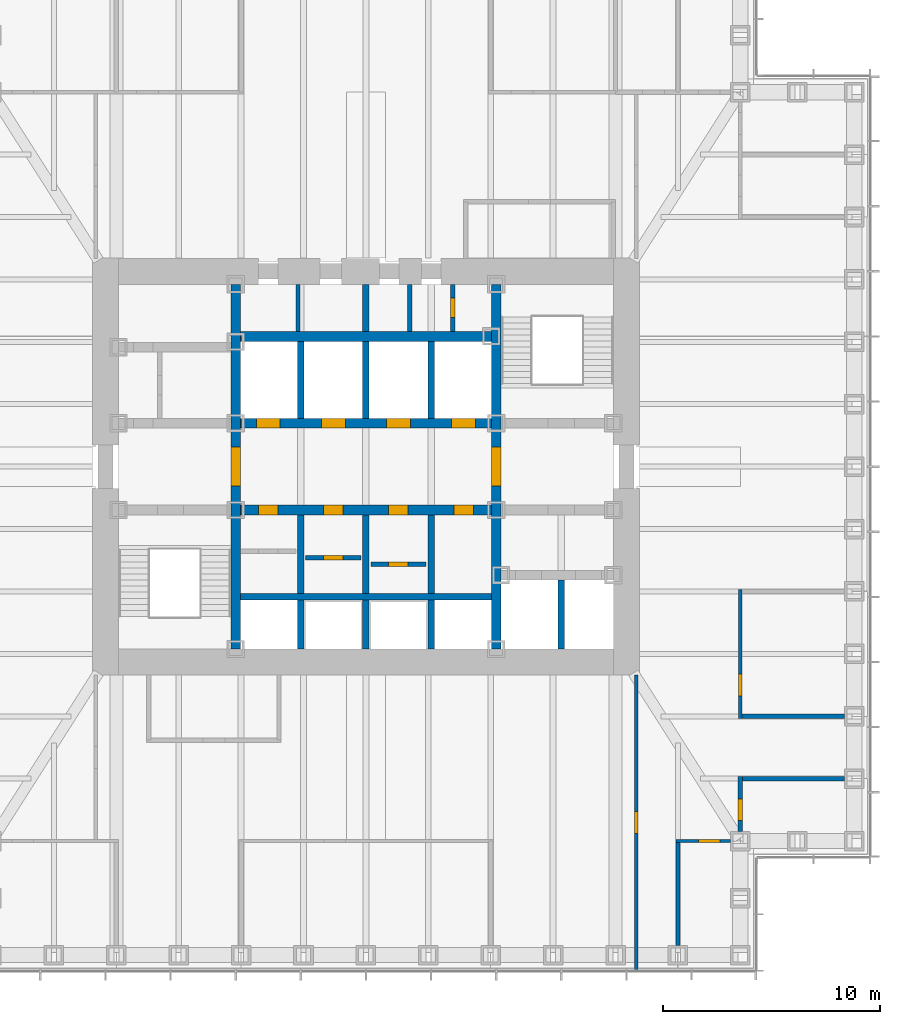
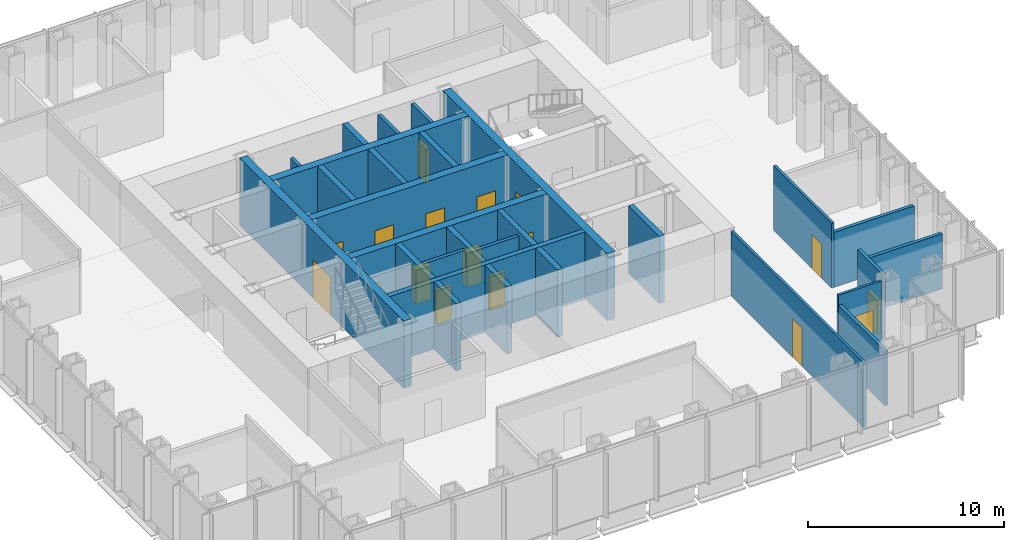
# One storey, part 9 of 17: 29 walls, 17 doors, 17 openings.
"""IFC4 building model written with IfcOpenShell, lengths in metres."""

from ifc_helpers import new_model, si_unit, direction, frame, frame_2d, origin, place, context, subcontext, project, spatial, rectangle, extrude, material, layer, layer_set, type_object, element, fill, save


model = new_model("IFC4")

# Units and contexts
model_context = context("Model", 3, precision=1e-05, world=origin(), true_north=direction((0.0, 1.0)))
body_context = subcontext(model_context, "Body", "Model", "MODEL_VIEW")
ifc_project = project(units=[si_unit("LENGTHUNIT", "METRE"), si_unit("AREAUNIT", "SQUARE_METRE"), si_unit("VOLUMEUNIT", "CUBIC_METRE"), si_unit("PLANEANGLEUNIT", "RADIAN"), si_unit("MASSUNIT", "GRAM", prefix="KILO")], contexts=[model_context])

# Site, building, storey
site_placement = place(None, origin())
site = spatial("IfcSite", under=ifc_project, at=site_placement, CompositionType="ELEMENT")
building_placement = place(site_placement, origin())
building = spatial("IfcBuilding", under=site, at=building_placement, Name="Daluyong Arena Tower", CompositionType="ELEMENT")
storey_placement = place(building_placement, frame((0.0, 0.0, 150.10009765625)))
storey = spatial("IfcBuildingStorey", under=building, at=storey_placement, Name="L33", CompositionType="ELEMENT", Elevation=150.10009765625)

# Wall, opening, door
ifc_material_1 = material(Name="Concrete fc' 45 MPa", Category="concrete")
ifc_layer_1 = layer(ifc_material_1, 0.449951171875)
ifc_layer_set_1 = layer_set([ifc_layer_1], Name="Concrete fc' 45 MPa")
wall_type_1 = type_object("IfcWallType", Name="Core inner wall 450", PredefinedType="SHEAR", material=ifc_layer_set_1)
wall_1_placement = place(storey_placement, frame((50.0, 71.60009765625, 0.0), z_axis=(0.0, 0.0, 1.0), x_axis=(0.0, 1.0, 0.0)))
wall_1 = element("IfcWall", 1, at=wall_1_placement, inside=storey, type_object=wall_type_1, Name="core inner wall at L33", PredefinedType="SHEAR", context=body_context, shape_type="SweptSolid", body=[
    extrude(rectangle(XDim=16.7998046875, YDim=0.449951171875, at=frame_2d((8.39990234375, 0.0))), origin(), (0.0, 0.0, 1.0), 4.199951171875),
])
opening_1_placement = place(wall_1_placement, frame((7.5, 0.0, 0.0)))
opening_1 = element("IfcOpeningElement", 2, at=opening_1_placement, cuts=wall_1, Name="Opening 33020", PredefinedType="OPENING", context=body_context, shape_type="SweptSolid", body=[
    extrude(rectangle(XDim=1.800048828125, YDim=2.39990234375, at=frame_2d((0.89990234375, 1.199951171875))), frame((0.0, 0.23486328125, 0.0), z_axis=(0.0, -1.0, 0.0), x_axis=(1.0, 0.0, 0.0)), (0.0, 0.0, 1.0), 0.469970703125),
])
ifc_material_2 = material(Name="Steel door, fire rated", Category="steel")
door_type_1 = type_object("IfcDoorType", Name="Lift lobby opening door 1800", OperationType="DOUBLE_DOOR_SINGLE_SWING", PredefinedType="DOOR", material=ifc_material_2)
door_1_placement = place(opening_1_placement, origin())
door_1 = element("IfcDoor", 3, at=door_1_placement, inside=storey, type_object=door_type_1, Name="lift lobby door west 33020", OperationType="DOUBLE_DOOR_SINGLE_SWING", OverallHeight=2.39990234375, OverallWidth=1.800048828125, PredefinedType="DOOR", context=body_context, shape_type="SweptSolid", body=[
    extrude(rectangle(XDim=1.800048828125, YDim=2.39990234375, at=frame_2d((0.89990234375, 1.199951171875))), frame((0.0, 0.224609375, 0.0), z_axis=(0.0, -1.0, 0.0), x_axis=(1.0, 0.0, 0.0)), (0.0, 0.0, 1.0), 0.449462890625),
])
fill(opening_1, door_1)

wall_2_placement = place(storey_placement, frame((62.0, 71.60009765625, 0.0), z_axis=(0.0, 0.0, 1.0), x_axis=(0.0, 1.0, 0.0)))
wall_2 = element("IfcWall", 4, at=wall_2_placement, inside=storey, type_object=wall_type_1, Name="core inner wall at L33", PredefinedType="SHEAR", context=body_context, shape_type="SweptSolid", body=[
    extrude(rectangle(XDim=16.7998046875, YDim=0.449951171875, at=frame_2d((8.39990234375, 0.0))), origin(), (0.0, 0.0, 1.0), 4.199951171875),
])
opening_2_placement = place(wall_2_placement, frame((7.5, 0.0, 0.0)))
opening_2 = element("IfcOpeningElement", 5, at=opening_2_placement, cuts=wall_2, Name="Opening 33021", PredefinedType="OPENING", context=body_context, shape_type="SweptSolid", body=[
    extrude(rectangle(XDim=1.800048828125, YDim=2.39990234375, at=frame_2d((0.89990234375, 1.199951171875))), frame((0.0, 0.23486328125, 0.0), z_axis=(0.0, -1.0, 0.0), x_axis=(1.0, 0.0, 0.0)), (0.0, 0.0, 1.0), 0.469970703125),
])
door_2_placement = place(opening_2_placement, origin())
door_2 = element("IfcDoor", 6, at=door_2_placement, inside=storey, type_object=door_type_1, Name="lift lobby door east 33021", OperationType="DOUBLE_DOOR_SINGLE_SWING", OverallHeight=2.39990234375, OverallWidth=1.800048828125, PredefinedType="DOOR", context=body_context, shape_type="SweptSolid", body=[
    extrude(rectangle(XDim=1.800048828125, YDim=2.39990234375, at=frame_2d((0.89990234375, 1.199951171875))), frame((0.0, 0.224609375, 0.0), z_axis=(0.0, -1.0, 0.0), x_axis=(1.0, 0.0, 0.0)), (0.0, 0.0, 1.0), 0.449462890625),
])
fill(opening_2, door_2)

# Wall, openings, doors
wall_3_placement = place(storey_placement, frame((50.22509765625, 78.0, 0.0), z_axis=(0.0, 0.0, 1.0), x_axis=(1.0, 0.0, 0.0)))
wall_3 = element("IfcWall", 7, at=wall_3_placement, inside=storey, type_object=wall_type_1, Name="core inner wall at L33", PredefinedType="SHEAR", context=body_context, shape_type="SweptSolid", body=[
    extrude(rectangle(XDim=11.5498046875, YDim=0.449951171875, at=frame_2d((5.77490234375, 0.0))), origin(), (0.0, 0.0, 1.0), 4.199951171875),
])
opening_3_placement = place(wall_3_placement, frame((0.824951171875, 0.0, 0.0)))
opening_3 = element("IfcOpeningElement", 8, at=opening_3_placement, cuts=wall_3, Name="Opening 33009", PredefinedType="OPENING", context=body_context, shape_type="SweptSolid", body=[
    extrude(rectangle(XDim=0.89990234375, YDim=2.10009765625, at=frame_2d((0.449951171875, 1.050048828125))), frame((0.0, 0.23486328125, 0.0), z_axis=(0.0, -1.0, 0.0), x_axis=(1.0, 0.0, 0.0)), (0.0, 0.0, 1.0), 0.469970703125),
])
opening_4_placement = place(wall_3_placement, frame((3.824951171875, 0.0, 0.0)))
opening_4 = element("IfcOpeningElement", 9, at=opening_4_placement, cuts=wall_3, Name="Opening 33011", PredefinedType="OPENING", context=body_context, shape_type="SweptSolid", body=[
    extrude(rectangle(XDim=0.89990234375, YDim=2.10009765625, at=frame_2d((0.449951171875, 1.050048828125))), frame((0.0, 0.23486328125, 0.0), z_axis=(0.0, -1.0, 0.0), x_axis=(1.0, 0.0, 0.0)), (0.0, 0.0, 1.0), 0.469970703125),
])
opening_5_placement = place(wall_3_placement, frame((6.824951171875, 0.0, 0.0)))
opening_5 = element("IfcOpeningElement", 10, at=opening_5_placement, cuts=wall_3, Name="Opening 33013", PredefinedType="OPENING", context=body_context, shape_type="SweptSolid", body=[
    extrude(rectangle(XDim=0.89990234375, YDim=2.10009765625, at=frame_2d((0.449951171875, 1.050048828125))), frame((0.0, 0.23486328125, 0.0), z_axis=(0.0, -1.0, 0.0), x_axis=(1.0, 0.0, 0.0)), (0.0, 0.0, 1.0), 0.469970703125),
])
opening_6_placement = place(wall_3_placement, frame((9.824951171875, 0.0, 0.0)))
opening_6 = element("IfcOpeningElement", 11, at=opening_6_placement, cuts=wall_3, Name="Opening 33015", PredefinedType="OPENING", context=body_context, shape_type="SweptSolid", body=[
    extrude(rectangle(XDim=0.89990234375, YDim=2.10009765625, at=frame_2d((0.449951171875, 1.050048828125))), frame((0.0, 0.23486328125, 0.0), z_axis=(0.0, -1.0, 0.0), x_axis=(1.0, 0.0, 0.0)), (0.0, 0.0, 1.0), 0.469970703125),
])
ifc_material_3 = material(Name="Steel door, fire rated", Category="steel")
door_type_2 = type_object("IfcDoorType", Name="Core room door 900", OperationType="SINGLE_SWING_LEFT", PredefinedType="DOOR", material=ifc_material_3)
door_3_placement = place(opening_6_placement, origin())
door_3 = element("IfcDoor", 12, at=door_3_placement, inside=storey, type_object=door_type_2, Name="staff pantry door 33015", OperationType="SINGLE_SWING_LEFT", OverallHeight=2.10009765625, OverallWidth=0.89990234375, PredefinedType="DOOR", context=body_context, shape_type="SweptSolid", body=[
    extrude(rectangle(XDim=0.89990234375, YDim=2.10009765625, at=frame_2d((0.449951171875, 1.050048828125))), frame((0.0, 0.224609375, 0.0), z_axis=(0.0, -1.0, 0.0), x_axis=(1.0, 0.0, 0.0)), (0.0, 0.0, 1.0), 0.449462890625),
])
fill(opening_6, door_3)
ifc_material_4 = material(Name="Steel door, fire rated", Category="steel")
door_type_3 = type_object("IfcDoorType", Name="Core store door 900", OperationType="SINGLE_SWING_LEFT", PredefinedType="DOOR", material=ifc_material_4)
door_4_placement = place(opening_3_placement, origin())
door_4 = element("IfcDoor", 13, at=door_4_placement, inside=storey, type_object=door_type_3, Name="tenant store door 33009", OperationType="SINGLE_SWING_LEFT", OverallHeight=2.10009765625, OverallWidth=0.89990234375, PredefinedType="DOOR", context=body_context, shape_type="SweptSolid", body=[
    extrude(rectangle(XDim=0.89990234375, YDim=2.10009765625, at=frame_2d((0.449951171875, 1.050048828125))), frame((0.0, 0.224609375, 0.0), z_axis=(0.0, -1.0, 0.0), x_axis=(1.0, 0.0, 0.0)), (0.0, 0.0, 1.0), 0.449462890625),
])
fill(opening_3, door_4)
door_5_placement = place(opening_4_placement, origin())
door_5 = element("IfcDoor", 14, at=door_5_placement, inside=storey, type_object=door_type_3, Name="furniture store door 33011", OperationType="SINGLE_SWING_LEFT", OverallHeight=2.10009765625, OverallWidth=0.89990234375, PredefinedType="DOOR", context=body_context, shape_type="SweptSolid", body=[
    extrude(rectangle(XDim=0.89990234375, YDim=2.10009765625, at=frame_2d((0.449951171875, 1.050048828125))), frame((0.0, 0.224609375, 0.0), z_axis=(0.0, -1.0, 0.0), x_axis=(1.0, 0.0, 0.0)), (0.0, 0.0, 1.0), 0.449462890625),
])
fill(opening_4, door_5)
door_6_placement = place(opening_5_placement, origin())
door_6 = element("IfcDoor", 15, at=door_6_placement, inside=storey, type_object=door_type_3, Name="security store door 33013", OperationType="SINGLE_SWING_LEFT", OverallHeight=2.10009765625, OverallWidth=0.89990234375, PredefinedType="DOOR", context=body_context, shape_type="SweptSolid", body=[
    extrude(rectangle(XDim=0.89990234375, YDim=2.10009765625, at=frame_2d((0.449951171875, 1.050048828125))), frame((0.0, 0.224609375, 0.0), z_axis=(0.0, -1.0, 0.0), x_axis=(1.0, 0.0, 0.0)), (0.0, 0.0, 1.0), 0.449462890625),
])
fill(opening_5, door_6)

wall_4_placement = place(storey_placement, frame((50.22509765625, 82.0, 0.0), z_axis=(0.0, 0.0, 1.0), x_axis=(1.0, 0.0, 0.0)))
wall_4 = element("IfcWall", 16, at=wall_4_placement, inside=storey, type_object=wall_type_1, Name="core inner wall at L33", PredefinedType="SHEAR", context=body_context, shape_type="SweptSolid", body=[
    extrude(rectangle(XDim=11.5498046875, YDim=0.449951171875, at=frame_2d((5.77490234375, 0.0))), origin(), (0.0, 0.0, 1.0), 4.199951171875),
])
opening_7_placement = place(wall_4_placement, frame((0.72509765625, 0.0, 0.0)))
opening_7 = element("IfcOpeningElement", 17, at=opening_7_placement, cuts=wall_4, Name="Opening 33023", PredefinedType="OPENING", context=body_context, shape_type="SweptSolid", body=[
    extrude(rectangle(XDim=1.10009765625, YDim=2.199951171875, at=frame_2d((0.550048828125, 1.10009765625))), frame((0.0, 0.23486328125, 0.0), z_axis=(0.0, -1.0, 0.0), x_axis=(1.0, 0.0, 0.0)), (0.0, 0.0, 1.0), 0.469970703125),
])
opening_8_placement = place(wall_4_placement, frame((3.72509765625, 0.0, 0.0)))
opening_8 = element("IfcOpeningElement", 18, at=opening_8_placement, cuts=wall_4, Name="Opening 33024", PredefinedType="OPENING", context=body_context, shape_type="SweptSolid", body=[
    extrude(rectangle(XDim=1.10009765625, YDim=2.199951171875, at=frame_2d((0.550048828125, 1.10009765625))), frame((0.0, 0.23486328125, 0.0), z_axis=(0.0, -1.0, 0.0), x_axis=(1.0, 0.0, 0.0)), (0.0, 0.0, 1.0), 0.469970703125),
])
opening_9_placement = place(wall_4_placement, frame((6.72509765625, 0.0, 0.0)))
opening_9 = element("IfcOpeningElement", 19, at=opening_9_placement, cuts=wall_4, Name="Opening 33025", PredefinedType="OPENING", context=body_context, shape_type="SweptSolid", body=[
    extrude(rectangle(XDim=1.10009765625, YDim=2.199951171875, at=frame_2d((0.550048828125, 1.10009765625))), frame((0.0, 0.23486328125, 0.0), z_axis=(0.0, -1.0, 0.0), x_axis=(1.0, 0.0, 0.0)), (0.0, 0.0, 1.0), 0.469970703125),
])
opening_10_placement = place(wall_4_placement, frame((9.72509765625, 0.0, 0.0)))
opening_10 = element("IfcOpeningElement", 20, at=opening_10_placement, cuts=wall_4, Name="Opening 33026", PredefinedType="OPENING", context=body_context, shape_type="SweptSolid", body=[
    extrude(rectangle(XDim=1.10009765625, YDim=2.199951171875, at=frame_2d((0.550048828125, 1.10009765625))), frame((0.0, 0.23486328125, 0.0), z_axis=(0.0, -1.0, 0.0), x_axis=(1.0, 0.0, 0.0)), (0.0, 0.0, 1.0), 0.469970703125),
])
ifc_material_5 = material(Name="Steel door, fire rated", Category="steel")
door_type_4 = type_object("IfcDoorType", Name="Lift landing door 1100", OperationType="SLIDING_TO_LEFT", PredefinedType="DOOR", material=ifc_material_5)
door_7_placement = place(opening_7_placement, origin())
door_7 = element("IfcDoor", 21, at=door_7_placement, inside=storey, type_object=door_type_4, Name="lift landing door B1 33023", OperationType="SLIDING_TO_LEFT", OverallHeight=2.199951171875, OverallWidth=1.10009765625, PredefinedType="DOOR", context=body_context, shape_type="SweptSolid", body=[
    extrude(rectangle(XDim=1.10009765625, YDim=2.199951171875, at=frame_2d((0.550048828125, 1.10009765625))), frame((0.0, 0.224609375, 0.0), z_axis=(0.0, -1.0, 0.0), x_axis=(1.0, 0.0, 0.0)), (0.0, 0.0, 1.0), 0.449462890625),
])
fill(opening_7, door_7)
door_8_placement = place(opening_8_placement, origin())
door_8 = element("IfcDoor", 22, at=door_8_placement, inside=storey, type_object=door_type_4, Name="lift landing door B2 33024", OperationType="SLIDING_TO_LEFT", OverallHeight=2.199951171875, OverallWidth=1.10009765625, PredefinedType="DOOR", context=body_context, shape_type="SweptSolid", body=[
    extrude(rectangle(XDim=1.10009765625, YDim=2.199951171875, at=frame_2d((0.550048828125, 1.10009765625))), frame((0.0, 0.224609375, 0.0), z_axis=(0.0, -1.0, 0.0), x_axis=(1.0, 0.0, 0.0)), (0.0, 0.0, 1.0), 0.449462890625),
])
fill(opening_8, door_8)
door_9_placement = place(opening_9_placement, origin())
door_9 = element("IfcDoor", 23, at=door_9_placement, inside=storey, type_object=door_type_4, Name="lift landing door B3 33025", OperationType="SLIDING_TO_LEFT", OverallHeight=2.199951171875, OverallWidth=1.10009765625, PredefinedType="DOOR", context=body_context, shape_type="SweptSolid", body=[
    extrude(rectangle(XDim=1.10009765625, YDim=2.199951171875, at=frame_2d((0.550048828125, 1.10009765625))), frame((0.0, 0.224609375, 0.0), z_axis=(0.0, -1.0, 0.0), x_axis=(1.0, 0.0, 0.0)), (0.0, 0.0, 1.0), 0.449462890625),
])
fill(opening_9, door_9)
door_10_placement = place(opening_10_placement, origin())
door_10 = element("IfcDoor", 24, at=door_10_placement, inside=storey, type_object=door_type_4, Name="lift landing door B4 33026", OperationType="SLIDING_TO_LEFT", OverallHeight=2.199951171875, OverallWidth=1.10009765625, PredefinedType="DOOR", context=body_context, shape_type="SweptSolid", body=[
    extrude(rectangle(XDim=1.10009765625, YDim=2.199951171875, at=frame_2d((0.550048828125, 1.10009765625))), frame((0.0, 0.224609375, 0.0), z_axis=(0.0, -1.0, 0.0), x_axis=(1.0, 0.0, 0.0)), (0.0, 0.0, 1.0), 0.449462890625),
])
fill(opening_10, door_10)

# Walls
wall_5_placement = place(storey_placement, frame((50.22509765625, 86.0, 0.0), z_axis=(0.0, 0.0, 1.0), x_axis=(1.0, 0.0, 0.0)))
element("IfcWall", 25, at=wall_5_placement, inside=storey, type_object=wall_type_1, Name="core inner wall at L33", PredefinedType="SHEAR", context=body_context, shape_type="SweptSolid", body=[
    extrude(rectangle(XDim=11.5498046875, YDim=0.449951171875, at=frame_2d((5.77490234375, 0.0))), origin(), (0.0, 0.0, 1.0), 4.199951171875),
])
ifc_material_6 = material(Name="Concrete block partition, fire rated", Category="concrete")
ifc_layer_2 = layer(ifc_material_6, 0.199951171875)
ifc_layer_set_2 = layer_set([ifc_layer_2], Name="Concrete block partition, fire rated")
wall_type_2 = type_object("IfcWallType", Name="Fire-rated partition 200", PredefinedType="PARTITIONING", material=ifc_layer_set_2)
wall_6_placement = place(storey_placement, frame((52.875, 86.22509765625, 0.0), z_axis=(0.0, 0.0, 1.0), x_axis=(0.0, 1.0, 0.0)))
element("IfcWall", 26, at=wall_6_placement, inside=storey, type_object=wall_type_2, Name="core room partition at L33", PredefinedType="PARTITIONING", context=body_context, shape_type="SweptSolid", body=[
    extrude(rectangle(XDim=2.1748046875, YDim=0.199951171875, at=frame_2d((1.08740234375, 0.0))), origin(), (0.0, 0.0, 1.0), 3.139892578125),
])

# Wall, opening, door
wall_7_placement = place(storey_placement, frame((60.0, 86.22509765625, 0.0), z_axis=(0.0, 0.0, 1.0), x_axis=(0.0, 1.0, 0.0)))
wall_7 = element("IfcWall", 27, at=wall_7_placement, inside=storey, type_object=wall_type_2, Name="electrical riser enclosure at L33", PredefinedType="PARTITIONING", context=body_context, shape_type="SweptSolid", body=[
    extrude(rectangle(XDim=2.1748046875, YDim=0.199951171875, at=frame_2d((1.08740234375, 0.0))), origin(), (0.0, 0.0, 1.0), 4.039794921875),
])
opening_11_placement = place(wall_7_placement, frame((0.637451171875, 0.0, 0.0)))
opening_11 = element("IfcOpeningElement", 28, at=opening_11_placement, cuts=wall_7, Name="Opening 33008", PredefinedType="OPENING", context=body_context, shape_type="SweptSolid", body=[
    extrude(rectangle(XDim=0.89990234375, YDim=2.10009765625, at=frame_2d((0.449951171875, 1.050048828125))), frame((0.0, 0.10986328125, 0.0), z_axis=(0.0, -1.0, 0.0), x_axis=(1.0, 0.0, 0.0)), (0.0, 0.0, 1.0), 0.219970703125),
])
ifc_material_7 = material(Name="Steel door, fire rated", Category="steel")
door_type_5 = type_object("IfcDoorType", Name="Riser door 900", OperationType="SINGLE_SWING_LEFT", PredefinedType="DOOR", material=ifc_material_7)
door_11_placement = place(opening_11_placement, origin())
door_11 = element("IfcDoor", 29, at=door_11_placement, inside=storey, type_object=door_type_5, Name="riser door 33008", OperationType="SINGLE_SWING_LEFT", OverallHeight=2.10009765625, OverallWidth=0.89990234375, PredefinedType="DOOR", context=body_context, shape_type="SweptSolid", body=[
    extrude(rectangle(XDim=0.89990234375, YDim=2.10009765625, at=frame_2d((0.449951171875, 1.050048828125))), frame((0.0, 0.099609375, 0.0), z_axis=(0.0, -1.0, 0.0), x_axis=(1.0, 0.0, 0.0)), (0.0, 0.0, 1.0), 0.199462890625),
])
fill(opening_11, door_11)

# Wall
wall_8_placement = place(storey_placement, frame((58.02490234375, 86.22509765625, 0.0), z_axis=(0.0, 0.0, 1.0), x_axis=(0.0, 1.0, 0.0)))
element("IfcWall", 30, at=wall_8_placement, inside=storey, type_object=wall_type_2, Name="core room partition at L33", PredefinedType="PARTITIONING", context=body_context, shape_type="SweptSolid", body=[
    extrude(rectangle(XDim=2.1748046875, YDim=0.199951171875, at=frame_2d((1.08740234375, 0.0))), origin(), (0.0, 0.0, 1.0), 4.039794921875),
])

# Wall, opening, door
wall_9_placement = place(storey_placement, frame((53.22509765625, 75.800048828125, 0.0), z_axis=(0.0, 0.0, 1.0), x_axis=(1.0, 0.0, 0.0)))
wall_9 = element("IfcWall", 31, at=wall_9_placement, inside=storey, type_object=wall_type_2, Name="back store partition at L33", PredefinedType="PARTITIONING", context=body_context, shape_type="SweptSolid", body=[
    extrude(rectangle(XDim=2.5498046875, YDim=0.199951171875, at=frame_2d((1.27490234375, 0.0))), origin(), (0.0, 0.0, 1.0), 4.039794921875),
])
opening_12_placement = place(wall_9_placement, frame((0.824951171875, 0.0, 0.0)))
opening_12 = element("IfcOpeningElement", 32, at=opening_12_placement, cuts=wall_9, Name="Opening 33012", PredefinedType="OPENING", context=body_context, shape_type="SweptSolid", body=[
    extrude(rectangle(XDim=0.89990234375, YDim=2.10009765625, at=frame_2d((0.449951171875, 1.050048828125))), frame((0.0, 0.10986328125, 0.0), z_axis=(0.0, -1.0, 0.0), x_axis=(1.0, 0.0, 0.0)), (0.0, 0.0, 1.0), 0.219970703125),
])
door_12_placement = place(opening_12_placement, origin())
door_12 = element("IfcDoor", 33, at=door_12_placement, inside=storey, type_object=door_type_3, Name="stationery store door 33012", OperationType="SINGLE_SWING_LEFT", OverallHeight=2.10009765625, OverallWidth=0.89990234375, PredefinedType="DOOR", context=body_context, shape_type="SweptSolid", body=[
    extrude(rectangle(XDim=0.89990234375, YDim=2.10009765625, at=frame_2d((0.449951171875, 1.050048828125))), frame((0.0, 0.099609375, 0.0), z_axis=(0.0, -1.0, 0.0), x_axis=(1.0, 0.0, 0.0)), (0.0, 0.0, 1.0), 0.199462890625),
])
fill(opening_12, door_12)

wall_10_placement = place(storey_placement, frame((56.22509765625, 75.5, 0.0), z_axis=(0.0, 0.0, 1.0), x_axis=(1.0, 0.0, 0.0)))
wall_10 = element("IfcWall", 34, at=wall_10_placement, inside=storey, type_object=wall_type_2, Name="back store partition at L33", PredefinedType="PARTITIONING", context=body_context, shape_type="SweptSolid", body=[
    extrude(rectangle(XDim=2.5498046875, YDim=0.199951171875, at=frame_2d((1.27490234375, 0.0))), origin(), (0.0, 0.0, 1.0), 4.039794921875),
])
opening_13_placement = place(wall_10_placement, frame((0.824951171875, 0.0, 0.0)))
opening_13 = element("IfcOpeningElement", 35, at=opening_13_placement, cuts=wall_10, Name="Opening 33014", PredefinedType="OPENING", context=body_context, shape_type="SweptSolid", body=[
    extrude(rectangle(XDim=0.89990234375, YDim=2.10009765625, at=frame_2d((0.449951171875, 1.050048828125))), frame((0.0, 0.10986328125, 0.0), z_axis=(0.0, -1.0, 0.0), x_axis=(1.0, 0.0, 0.0)), (0.0, 0.0, 1.0), 0.219970703125),
])
door_13_placement = place(opening_13_placement, origin())
door_13 = element("IfcDoor", 36, at=door_13_placement, inside=storey, type_object=door_type_3, Name="archive store door 33014", OperationType="SINGLE_SWING_LEFT", OverallHeight=2.10009765625, OverallWidth=0.89990234375, PredefinedType="DOOR", context=body_context, shape_type="SweptSolid", body=[
    extrude(rectangle(XDim=0.89990234375, YDim=2.10009765625, at=frame_2d((0.449951171875, 1.050048828125))), frame((0.0, 0.099609375, 0.0), z_axis=(0.0, -1.0, 0.0), x_axis=(1.0, 0.0, 0.0)), (0.0, 0.0, 1.0), 0.199462890625),
])
fill(opening_13, door_13)

ifc_material_8 = material(Name="Glazed aluminium partition", Category="aluminium")
ifc_layer_3 = layer(ifc_material_8, 0.14990234375)
ifc_layer_set_3 = layer_set([ifc_layer_3], Name="Glazed aluminium partition")
wall_type_3 = type_object("IfcWallType", Name="Glazed partition 150", PredefinedType="PARTITIONING", material=ifc_layer_set_3)
wall_11_placement = place(storey_placement, frame((70.27490234375, 62.75, 0.0), z_axis=(0.0, 0.0, 1.0), x_axis=(1.0, 0.0, 0.0)))
wall_11 = element("IfcWall", 37, at=wall_11_placement, inside=storey, type_object=wall_type_3, Name="glazed partition at L33", PredefinedType="PARTITIONING", context=body_context, shape_type="SweptSolid", body=[
    extrude(rectangle(XDim=2.525146484375, YDim=0.14990234375, at=frame_2d((1.2626953125, 0.0))), origin(), (0.0, 0.0, 1.0), 4.039794921875),
])
opening_14_placement = place(wall_11_placement, frame((1.03759765625, 0.0, 0.0)))
opening_14 = element("IfcOpeningElement", 38, at=opening_14_placement, cuts=wall_11, Name="Opening 33031", PredefinedType="OPENING", context=body_context, shape_type="SweptSolid", body=[
    extrude(rectangle(XDim=1.0, YDim=2.39990234375, at=frame_2d((0.5, 1.199951171875))), frame((0.0, 0.0849609375, 0.0), z_axis=(0.0, -1.0, 0.0), x_axis=(1.0, 0.0, 0.0)), (0.0, 0.0, 1.0), 0.169921875),
])
ifc_material_9 = material(Name="Glazed aluminium door", Category="aluminium")
door_type_6 = type_object("IfcDoorType", Name="Meeting room glazed door 1000", OperationType="SINGLE_SWING_RIGHT", PredefinedType="DOOR", material=ifc_material_9)
door_14_placement = place(opening_14_placement, origin())
door_14 = element("IfcDoor", 39, at=door_14_placement, inside=storey, type_object=door_type_6, Name="focus room door 33031", OperationType="SINGLE_SWING_RIGHT", OverallHeight=2.39990234375, OverallWidth=1.0, PredefinedType="DOOR", context=body_context, shape_type="SweptSolid", body=[
    extrude(rectangle(XDim=1.0, YDim=2.39990234375, at=frame_2d((0.5, 1.199951171875))), frame((0.0, 0.07470703125, 0.0), z_axis=(0.0, -1.0, 0.0), x_axis=(1.0, 0.0, 0.0)), (0.0, 0.0, 1.0), 0.1494140625),
])
fill(opening_14, door_14)

wall_12_placement = place(storey_placement, frame((68.449951171875, 56.81005859375, 0.0), z_axis=(0.0, 0.0, 1.0), x_axis=(0.0, 1.0, 0.0)))
wall_12 = element("IfcWall", 40, at=wall_12_placement, inside=storey, type_object=wall_type_3, Name="glazed partition at L33", PredefinedType="PARTITIONING", context=body_context, shape_type="SweptSolid", body=[
    extrude(rectangle(XDim=13.58984375, YDim=0.14990234375, at=frame_2d((6.794921875, 0.0))), origin(), (0.0, 0.0, 1.0), 4.039794921875),
])
opening_15_placement = place(wall_12_placement, frame((6.294921875, 0.0, 0.0)))
opening_15 = element("IfcOpeningElement", 41, at=opening_15_placement, cuts=wall_12, Name="Opening 33047", PredefinedType="OPENING", context=body_context, shape_type="SweptSolid", body=[
    extrude(rectangle(XDim=1.0, YDim=2.39990234375, at=frame_2d((0.5, 1.199951171875))), frame((0.0, 0.0849609375, 0.0), z_axis=(0.0, -1.0, 0.0), x_axis=(1.0, 0.0, 0.0)), (0.0, 0.0, 1.0), 0.169921875),
])
door_15_placement = place(opening_15_placement, origin())
door_15 = element("IfcDoor", 42, at=door_15_placement, inside=storey, type_object=door_type_6, Name="team area screen door 33047", OperationType="SINGLE_SWING_RIGHT", OverallHeight=2.39990234375, OverallWidth=1.0, PredefinedType="DOOR", context=body_context, shape_type="SweptSolid", body=[
    extrude(rectangle(XDim=1.0, YDim=2.39990234375, at=frame_2d((0.5, 1.199951171875))), frame((0.0, 0.07470703125, 0.0), z_axis=(0.0, -1.0, 0.0), x_axis=(1.0, 0.0, 0.0)), (0.0, 0.0, 1.0), 0.1494140625),
])
fill(opening_15, door_15)

wall_13_placement = place(storey_placement, frame((73.25, 68.39990234375, 0.0), z_axis=(0.0, 0.0, 1.0), x_axis=(0.0, 1.0, 0.0)))
wall_13 = element("IfcWall", 43, at=wall_13_placement, inside=storey, type_object=wall_type_3, Name="glazed partition at L33", PredefinedType="PARTITIONING", context=body_context, shape_type="SweptSolid", body=[
    extrude(rectangle(XDim=5.9501953125, YDim=0.14990234375, at=frame_2d((2.97509765625, 0.0))), origin(), (0.0, 0.0, 1.0), 4.039794921875),
])
opening_16_placement = place(wall_13_placement, frame((1.03759765625, 0.0, 0.0)))
opening_16 = element("IfcOpeningElement", 44, at=opening_16_placement, cuts=wall_13, Name="Opening 33033", PredefinedType="OPENING", context=body_context, shape_type="SweptSolid", body=[
    extrude(rectangle(XDim=1.0, YDim=2.10009765625, at=frame_2d((0.5, 1.050048828125))), frame((0.0, 0.0849609375, 0.0), z_axis=(0.0, -1.0, 0.0), x_axis=(1.0, 0.0, 0.0)), (0.0, 0.0, 1.0), 0.169921875),
])
ifc_material_10 = material(Name="Timber door", Category="wood")
door_type_7 = type_object("IfcDoorType", Name="Room door 1000", OperationType="SINGLE_SWING_LEFT", PredefinedType="DOOR", material=ifc_material_10)
door_16_placement = place(opening_16_placement, origin())
door_16 = element("IfcDoor", 45, at=door_16_placement, inside=storey, type_object=door_type_7, Name="office door 33033", OperationType="SINGLE_SWING_LEFT", OverallHeight=2.10009765625, OverallWidth=1.0, PredefinedType="DOOR", context=body_context, shape_type="SweptSolid", body=[
    extrude(rectangle(XDim=1.0, YDim=2.10009765625, at=frame_2d((0.5, 1.050048828125))), frame((0.0, 0.07470703125, 0.0), z_axis=(0.0, -1.0, 0.0), x_axis=(1.0, 0.0, 0.0)), (0.0, 0.0, 1.0), 0.1494140625),
])
fill(opening_16, door_16)

# Walls
ifc_material_11 = material(Name="Concrete fc' 45 MPa", Category="concrete")
ifc_layer_4 = layer(ifc_material_11, 0.300048828125)
ifc_layer_set_4 = layer_set([ifc_layer_4], Name="Concrete fc' 45 MPa")
wall_type_4 = type_object("IfcWallType", Name="Lift shaft wall 300", PredefinedType="SHEAR", material=ifc_layer_set_4)
wall_14_placement = place(storey_placement, frame((50.22509765625, 74.0, 0.0), z_axis=(0.0, 0.0, 1.0), x_axis=(1.0, 0.0, 0.0)))
element("IfcWall", 46, at=wall_14_placement, inside=storey, type_object=wall_type_4, Name="lift shaft wall at L33", PredefinedType="SHEAR", context=body_context, shape_type="SweptSolid", body=[
    extrude(rectangle(XDim=11.5498046875, YDim=0.300048828125, at=frame_2d((5.77490234375, 0.0))), origin(), (0.0, 0.0, 1.0), 4.199951171875),
])
wall_15_placement = place(storey_placement, frame((53.0, 71.60009765625, 0.0), z_axis=(0.0, 0.0, 1.0), x_axis=(0.0, 1.0, 0.0)))
element("IfcWall", 47, at=wall_15_placement, inside=storey, type_object=wall_type_4, Name="lift shaft wall at L33", PredefinedType="SHEAR", context=body_context, shape_type="SweptSolid", body=[
    extrude(rectangle(XDim=2.25, YDim=0.300048828125, at=frame_2d((1.125, 0.0))), origin(), (0.0, 0.0, 1.0), 4.199951171875),
])
wall_16_placement = place(storey_placement, frame((53.0, 74.14990234375, 0.0), z_axis=(0.0, 0.0, 1.0), x_axis=(0.0, 1.0, 0.0)))
element("IfcWall", 48, at=wall_16_placement, inside=storey, type_object=wall_type_4, Name="lift shaft wall at L33", PredefinedType="SHEAR", context=body_context, shape_type="SweptSolid", body=[
    extrude(rectangle(XDim=3.625, YDim=0.300048828125, at=frame_2d((1.8125, 0.0))), origin(), (0.0, 0.0, 1.0), 4.199951171875),
])
wall_17_placement = place(storey_placement, frame((53.0, 82.22509765625, 0.0), z_axis=(0.0, 0.0, 1.0), x_axis=(0.0, 1.0, 0.0)))
element("IfcWall", 49, at=wall_17_placement, inside=storey, type_object=wall_type_4, Name="lift shaft wall at L33", PredefinedType="SHEAR", context=body_context, shape_type="SweptSolid", body=[
    extrude(rectangle(XDim=3.5498046875, YDim=0.300048828125, at=frame_2d((1.77490234375, 0.0))), origin(), (0.0, 0.0, 1.0), 4.199951171875),
])
wall_18_placement = place(storey_placement, frame((56.0, 71.60009765625, 0.0), z_axis=(0.0, 0.0, 1.0), x_axis=(0.0, 1.0, 0.0)))
element("IfcWall", 50, at=wall_18_placement, inside=storey, type_object=wall_type_4, Name="lift shaft wall at L33", PredefinedType="SHEAR", context=body_context, shape_type="SweptSolid", body=[
    extrude(rectangle(XDim=2.25, YDim=0.300048828125, at=frame_2d((1.125, 0.0))), origin(), (0.0, 0.0, 1.0), 4.199951171875),
])
wall_19_placement = place(storey_placement, frame((56.0, 74.14990234375, 0.0), z_axis=(0.0, 0.0, 1.0), x_axis=(0.0, 1.0, 0.0)))
element("IfcWall", 51, at=wall_19_placement, inside=storey, type_object=wall_type_4, Name="lift shaft wall at L33", PredefinedType="SHEAR", context=body_context, shape_type="SweptSolid", body=[
    extrude(rectangle(XDim=3.625, YDim=0.300048828125, at=frame_2d((1.8125, 0.0))), origin(), (0.0, 0.0, 1.0), 4.199951171875),
])
wall_20_placement = place(storey_placement, frame((56.0, 82.22509765625, 0.0), z_axis=(0.0, 0.0, 1.0), x_axis=(0.0, 1.0, 0.0)))
element("IfcWall", 52, at=wall_20_placement, inside=storey, type_object=wall_type_4, Name="lift shaft wall at L33", PredefinedType="SHEAR", context=body_context, shape_type="SweptSolid", body=[
    extrude(rectangle(XDim=3.5498046875, YDim=0.300048828125, at=frame_2d((1.77490234375, 0.0))), origin(), (0.0, 0.0, 1.0), 4.199951171875),
])
wall_21_placement = place(storey_placement, frame((59.0, 71.60009765625, 0.0), z_axis=(0.0, 0.0, 1.0), x_axis=(0.0, 1.0, 0.0)))
element("IfcWall", 53, at=wall_21_placement, inside=storey, type_object=wall_type_4, Name="lift shaft wall at L33", PredefinedType="SHEAR", context=body_context, shape_type="SweptSolid", body=[
    extrude(rectangle(XDim=2.25, YDim=0.300048828125, at=frame_2d((1.125, 0.0))), origin(), (0.0, 0.0, 1.0), 4.199951171875),
])
wall_22_placement = place(storey_placement, frame((59.0, 74.14990234375, 0.0), z_axis=(0.0, 0.0, 1.0), x_axis=(0.0, 1.0, 0.0)))
element("IfcWall", 54, at=wall_22_placement, inside=storey, type_object=wall_type_4, Name="lift shaft wall at L33", PredefinedType="SHEAR", context=body_context, shape_type="SweptSolid", body=[
    extrude(rectangle(XDim=3.625, YDim=0.300048828125, at=frame_2d((1.8125, 0.0))), origin(), (0.0, 0.0, 1.0), 4.199951171875),
])
wall_23_placement = place(storey_placement, frame((59.0, 82.22509765625, 0.0), z_axis=(0.0, 0.0, 1.0), x_axis=(0.0, 1.0, 0.0)))
element("IfcWall", 55, at=wall_23_placement, inside=storey, type_object=wall_type_4, Name="lift shaft wall at L33", PredefinedType="SHEAR", context=body_context, shape_type="SweptSolid", body=[
    extrude(rectangle(XDim=3.5498046875, YDim=0.300048828125, at=frame_2d((1.77490234375, 0.0))), origin(), (0.0, 0.0, 1.0), 4.199951171875),
])
wall_24_placement = place(storey_placement, frame((65.0, 71.60009765625, 0.0), z_axis=(0.0, 0.0, 1.0), x_axis=(0.0, 1.0, 0.0)))
element("IfcWall", 56, at=wall_24_placement, inside=storey, type_object=wall_type_4, Name="lift shaft wall at L33", PredefinedType="SHEAR", context=body_context, shape_type="SweptSolid", body=[
    extrude(rectangle(XDim=3.1748046875, YDim=0.300048828125, at=frame_2d((1.58740234375, 0.0))), origin(), (0.0, 0.0, 1.0), 4.199951171875),
])
wall_25_placement = place(storey_placement, frame((56.0, 86.22509765625, 0.0), z_axis=(0.0, 0.0, 1.0), x_axis=(0.0, 1.0, 0.0)))
element("IfcWall", 57, at=wall_25_placement, inside=storey, type_object=wall_type_4, Name="lift shaft wall at L33", PredefinedType="SHEAR", context=body_context, shape_type="SweptSolid", body=[
    extrude(rectangle(XDim=2.1748046875, YDim=0.300048828125, at=frame_2d((1.08740234375, 0.0))), origin(), (0.0, 0.0, 1.0), 4.199951171875),
])
ifc_material_12 = material(Name="Concrete block partition", Category="concrete")
ifc_layer_5 = layer(ifc_material_12, 0.199951171875)
ifc_layer_set_5 = layer_set([ifc_layer_5], Name="Concrete block partition")
wall_type_5 = type_object("IfcWallType", Name="Partition 200", PredefinedType="PARTITIONING", material=ifc_layer_set_5)
for number, where, z_axis, x_axis, name in (
    (58, (70.375, 57.949951171875, 0.0), (0.0, 0.0, 1.0), (0.0, 1.0, 0.0), "partition at L33"),
    (59, (73.25, 65.625, 0.0), (0.0, 0.0, 1.0), (1.0, 0.0, 0.0), "partition at L33"),
    (60, (73.25, 68.5, 0.0), (0.0, 0.0, 1.0), (1.0, 0.0, 0.0), "partition at L33"),
):
    element("IfcWall", number, at=place(storey_placement, frame(where, z_axis=z_axis, x_axis=x_axis)), inside=storey, type_object=wall_type_5, Name=name, PredefinedType="PARTITIONING", context=body_context, shape_type="SweptSolid", body=[
        extrude(rectangle(XDim=4.800048828125, YDim=0.199951171875, at=frame_2d((2.39990234375, 0.0))), origin(), (0.0, 0.0, 1.0), 3.427734375),
    ])

# Wall, opening, door
wall_26_placement = place(storey_placement, frame((73.25, 63.199951171875, 0.0), z_axis=(0.0, 0.0, 1.0), x_axis=(0.0, 1.0, 0.0)))
wall_26 = element("IfcWall", 61, at=wall_26_placement, inside=storey, type_object=wall_type_5, Name="partition at L33", PredefinedType="PARTITIONING", context=body_context, shape_type="SweptSolid", body=[
    extrude(rectangle(XDim=2.525146484375, YDim=0.199951171875, at=frame_2d((1.2626953125, 0.0))), origin(), (0.0, 0.0, 1.0), 4.039794921875),
])
opening_17_placement = place(wall_26_placement, frame((0.487548828125, 0.0, 0.0)))
opening_17 = element("IfcOpeningElement", 62, at=opening_17_placement, cuts=wall_26, Name="Opening 33032", PredefinedType="OPENING", context=body_context, shape_type="SweptSolid", body=[
    extrude(rectangle(XDim=1.0, YDim=2.10009765625, at=frame_2d((0.5, 1.050048828125))), frame((0.0, 0.10986328125, 0.0), z_axis=(0.0, -1.0, 0.0), x_axis=(1.0, 0.0, 0.0)), (0.0, 0.0, 1.0), 0.219970703125),
])
door_17_placement = place(opening_17_placement, origin())
door_17 = element("IfcDoor", 63, at=door_17_placement, inside=storey, type_object=door_type_7, Name="wellness room door 33032", OperationType="SINGLE_SWING_LEFT", OverallHeight=2.10009765625, OverallWidth=1.0, PredefinedType="DOOR", context=body_context, shape_type="SweptSolid", body=[
    extrude(rectangle(XDim=1.0, YDim=2.10009765625, at=frame_2d((0.5, 1.050048828125))), frame((0.0, 0.099609375, 0.0), z_axis=(0.0, -1.0, 0.0), x_axis=(1.0, 0.0, 0.0)), (0.0, 0.0, 1.0), 0.199462890625),
])
fill(opening_17, door_17)

save(model, "model.ifc")
